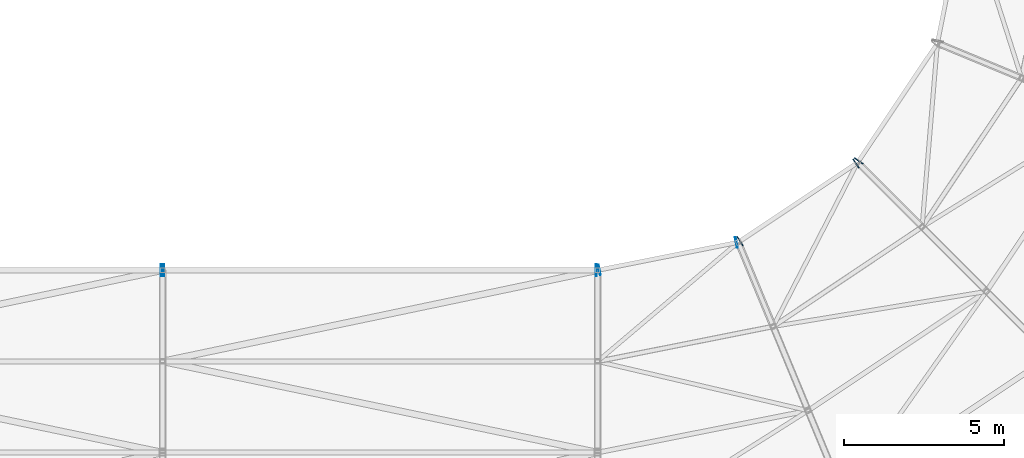
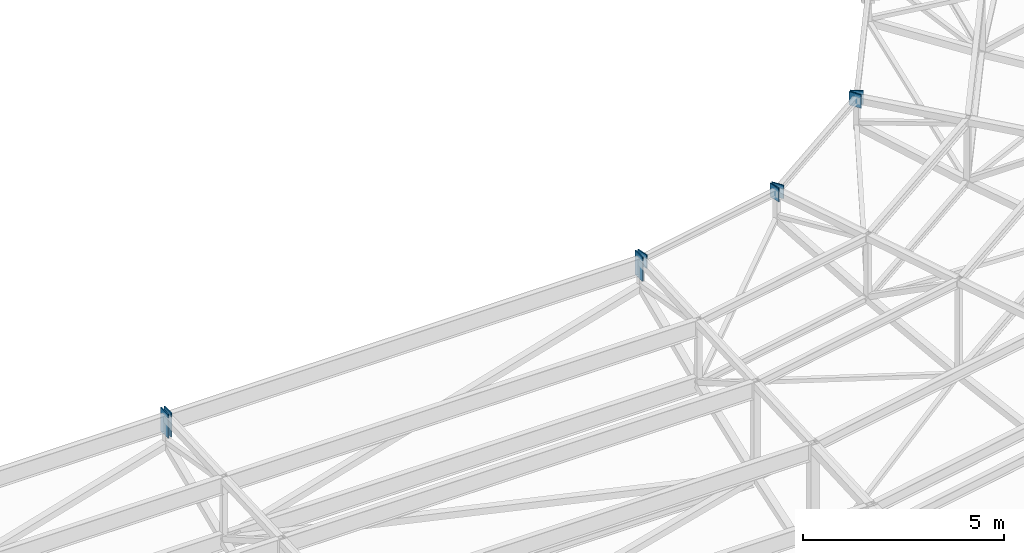
# One storey, part 148 of 278: 8 discrete accessories.
"""IFC4 building model written with IfcOpenShell, lengths in metres."""

from ifc_helpers import new_model, si_unit, direction, frame, origin, origin_2d, place, context, subcontext, project, spatial, rectangle, extrude, material, layer, layer_set, type_object, element, save


model = new_model("IFC4")

# Units and contexts
model_context = context("Model", 3, precision=1e-05, world=origin(), true_north=direction((0.0, 1.0)))
body_context = subcontext(model_context, "Body", "Model", "MODEL_VIEW")
ifc_project = project(units=[si_unit("LENGTHUNIT", "METRE"), si_unit("AREAUNIT", "SQUARE_METRE"), si_unit("VOLUMEUNIT", "CUBIC_METRE"), si_unit("PLANEANGLEUNIT", "RADIAN"), si_unit("MASSUNIT", "GRAM", prefix="KILO")], contexts=[model_context])

# Site, building, storey
site_placement = place(None, origin())
site = spatial("IfcSite", under=ifc_project, at=site_placement, CompositionType="ELEMENT")
building_placement = place(site_placement, origin())
building = spatial("IfcBuilding", under=site, at=building_placement, Name="Ogive Plaza Stadium", CompositionType="ELEMENT")
storey_placement = place(building_placement, frame((0.0, 0.0, 29.0)))
storey = spatial("IfcBuildingStorey", under=building, at=storey_placement, Name="Roof", CompositionType="ELEMENT", Elevation=29.0)

# Discrete accessories
ifc_material = material(Name="Steel ASTM A992 Grade 50", Category="steel")
ifc_layer = layer(ifc_material, 0.030029296875)
ifc_layer_set = layer_set([ifc_layer], Name="Steel ASTM A992 Grade 50")
discrete_accessory_type = type_object("IfcDiscreteAccessoryType", Name="Ring beam end plate 30", PredefinedType="ANCHORPLATE", material=ifc_layer_set)
for number, where, z_axis, x_axis, name in (
    (1, (42.16552734375, -60.5810546875, 7.1181640625), (0.0, 0.0, 1.0), (-0.555570232976, -0.831469612332, 0.0), "RING BEAM END PLATE B09 2"),
    (2, (42.0810546875, -60.66552734375, 7.1181640625), (0.0, 0.0, 1.0), (-0.831469612332, -0.555570232976, 0.0), "RING BEAM END PLATE B10 1"),
    (3, (38.451416015625, -63.0908203125, 7.1181640625), (0.0, 0.0, 1.0), (-0.831469612332, -0.555570232976, 0.0), "RING BEAM END PLATE B10 2"),
    (4, (38.341064453125, -63.136474609375, 7.1181640625), (0.0, 0.0, 1.0), (-0.980785280434, -0.195090321862, 0.0), "RING BEAM END PLATE B11 1"),
    (5, (34.059814453125, -63.988037109375, 7.1181640625), (0.0, 0.0, 1.0), (-0.980785280434, -0.195090321862, 0.0), "RING BEAM END PLATE B11 2"),
):
    element("IfcDiscreteAccessory", number, at=place(storey_placement, frame(where, z_axis=z_axis, x_axis=x_axis)), inside=storey, type_object=discrete_accessory_type, Name=name, PredefinedType="ANCHORPLATE", context=body_context, shape_type="SweptSolid", body=[
        extrude(rectangle(XDim=0.030029296875, YDim=0.33349609375, at=origin_2d()), origin(), (0.0, 0.0, 1.0), 0.40673828125),
    ])
for number, where, z_axis, x_axis, name in (
    (6, (33.953857421875, -64.0, 6.80029296875), (0.0, 0.0, 1.0), (-1.0, 0.0, 0.0), "RING BEAM END PLATE B12 1"),
    (7, (20.4462890625, -64.0, 6.80029296875), (0.0, 0.0, 1.0), (-1.0, 0.0, 0.0), "RING BEAM END PLATE B12 2"),
    (8, (20.353759765625, -64.0, 6.80029296875), (0.0, 0.0, 1.0), (-1.0, 0.0, 0.0), "RING BEAM END PLATE B13 1"),
):
    element("IfcDiscreteAccessory", number, at=place(storey_placement, frame(where, z_axis=z_axis, x_axis=x_axis)), inside=storey, type_object=discrete_accessory_type, Name=name, PredefinedType="ANCHORPLATE", context=body_context, shape_type="SweptSolid", body=[
        extrude(rectangle(XDim=0.030029296875, YDim=0.364990234375, at=origin_2d()), origin(), (0.0, 0.0, 1.0), 0.724853515625),
    ])

save(model, "model.ifc")
